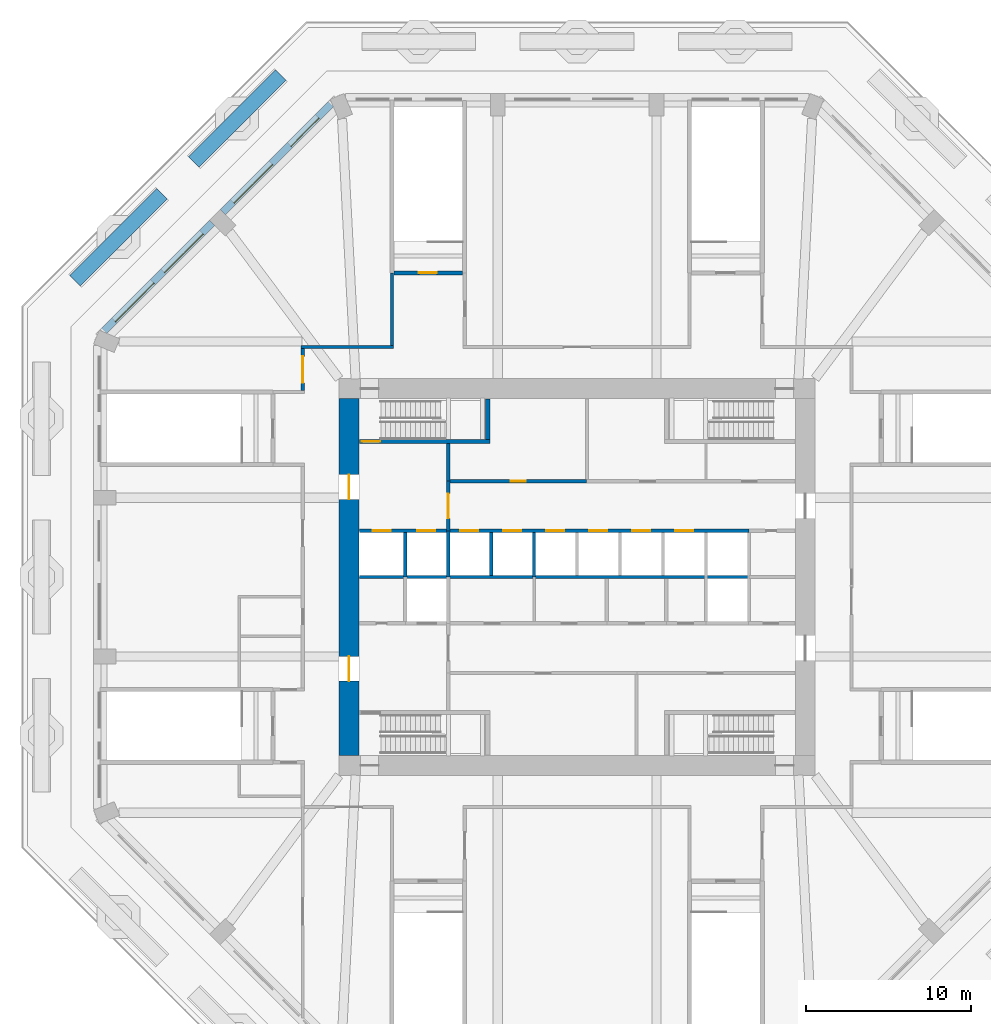
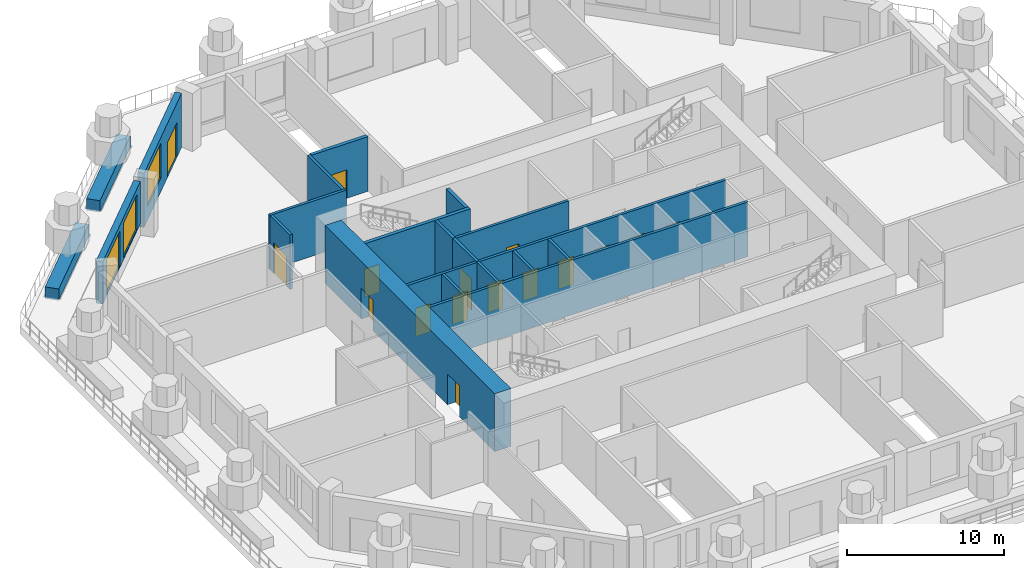
# One storey, part 6 of 13: 20 walls, 16 doors, 3 windows, 19 openings.
"""IFC4 building model written with IfcOpenShell, lengths in metres."""

from ifc_helpers import new_model, si_unit, direction, frame, frame_2d, origin, place, context, subcontext, project, spatial, rectangle, extrude, material, layer, layer_set, type_object, element, fill, save


model = new_model("IFC4")

# Units and contexts
model_context = context("Model", 3, precision=1e-05, world=origin(), true_north=direction((0.0, 1.0)))
body_context = subcontext(model_context, "Body", "Model", "MODEL_VIEW")
ifc_project = project(units=[si_unit("LENGTHUNIT", "METRE"), si_unit("AREAUNIT", "SQUARE_METRE"), si_unit("VOLUMEUNIT", "CUBIC_METRE"), si_unit("PLANEANGLEUNIT", "RADIAN"), si_unit("MASSUNIT", "GRAM", prefix="KILO")], contexts=[model_context])

# Site, building, storey
site_placement = place(None, origin())
site = spatial("IfcSite", under=ifc_project, at=site_placement, CompositionType="ELEMENT")
building_placement = place(site_placement, origin())
building = spatial("IfcBuilding", under=site, at=building_placement, Name="Msitu Wima Residences", CompositionType="ELEMENT")
storey_placement = place(building_placement, frame((0.0, 0.0, 21.0)))
storey = spatial("IfcBuildingStorey", under=building, at=storey_placement, Name="L04", CompositionType="ELEMENT", Elevation=21.0)

# Wall, openings, door, window
ifc_material_1 = material(Name="Brick (red buff mix), cavity wall of two leaves", Category="masonry")
ifc_layer_1 = layer(ifc_material_1, 0.449951171875)
ifc_layer_set_1 = layer_set([ifc_layer_1], Name="Brick (red buff mix), cavity wall of two leaves")
wall_type_1 = type_object("IfcWallType", Name="Brick infill wall BW450 podium", PredefinedType="ELEMENTEDWALL", material=ifc_layer_set_1)
wall_1_placement = place(storey_placement, frame((-14.903564453125, 28.61474609375, 0.0), z_axis=(0.0, 0.0, 1.0), x_axis=(-0.707106781187, -0.707106781187, 0.0)))
wall_1 = element("IfcWall", 1, at=wall_1_placement, inside=storey, type_object=wall_type_1, Name="Brick infill wall L04 NW0", PredefinedType="ELEMENTEDWALL", context=body_context, shape_type="SweptSolid", body=[
    extrude(rectangle(XDim=9.2451171875, YDim=0.449951171875, at=frame_2d((4.62255859375, 0.0))), origin(), (0.0, 0.0, 1.0), 4.199951171875),
])
opening_1_placement = place(wall_1_placement, frame((1.111328125, 0.0, 0.0)))
opening_1 = element("IfcOpeningElement", 2, at=opening_1_placement, cuts=wall_1, Name="Opening D04.004", PredefinedType="OPENING", context=body_context, shape_type="SweptSolid", body=[
    extrude(rectangle(XDim=2.39990234375, YDim=2.699951171875, at=frame_2d((1.199951171875, 1.35009765625))), frame((0.0, 0.23486328125, 0.0), z_axis=(0.0, -1.0, 0.0), x_axis=(1.0, 0.0, 0.0)), (0.0, 0.0, 1.0), 0.469970703125),
])
opening_2_placement = place(wall_1_placement, frame((5.072509765625, 0.0, 1.050048828125)))
opening_2 = element("IfcOpeningElement", 3, at=opening_2_placement, cuts=wall_1, Name="Opening W04.018", PredefinedType="OPENING", context=body_context, shape_type="SweptSolid", body=[
    extrude(rectangle(XDim=3.300048828125, YDim=2.699951171875, at=frame_2d((1.64990234375, 1.35009765625))), frame((0.0, 0.23486328125, 0.0), z_axis=(0.0, -1.0, 0.0), x_axis=(1.0, 0.0, 0.0)), (0.0, 0.0, 1.0), 0.469970703125),
])
ifc_material_2 = material(Name="Anodised aluminium, bronze finish, clear low-emissivity double glazing", Category="aluminium")
door_type_1 = type_object("IfcDoorType", Name="Balcony door D2400x2700", OperationType="SLIDING_TO_LEFT", PredefinedType="DOOR", material=ifc_material_2)
door_1_placement = place(opening_1_placement, origin())
door_1 = element("IfcDoor", 4, at=door_1_placement, inside=storey, type_object=door_type_1, Name="Terrace door L04 NW0", OperationType="SINGLE_SWING_LEFT", OverallHeight=2.699951171875, OverallWidth=2.39990234375, PredefinedType="DOOR", context=body_context, shape_type="SweptSolid", body=[
    extrude(rectangle(XDim=2.39990234375, YDim=2.699951171875, at=frame_2d((1.199951171875, 1.35009765625))), frame((0.0, 0.1298828125, 0.0), z_axis=(0.0, -1.0, 0.0), x_axis=(1.0, 0.0, 0.0)), (0.0, 0.0, 1.0), 0.050048828125),
])
fill(opening_1, door_1)
window_type = type_object("IfcWindowType", Name="Window W3300x2700", PartitioningType="DOUBLE_PANEL_VERTICAL", PredefinedType="WINDOW", material=ifc_material_2)
window_1_placement = place(opening_2_placement, origin())
window_1 = element("IfcWindow", 5, at=window_1_placement, inside=storey, type_object=window_type, Name="Window L04 NW0.2", OverallHeight=2.699951171875, OverallWidth=3.300048828125, PartitioningType="SINGLE_PANEL", PredefinedType="WINDOW", context=body_context, shape_type="SweptSolid", body=[
    extrude(rectangle(XDim=3.300048828125, YDim=2.699951171875, at=frame_2d((1.64990234375, 1.35009765625))), frame((0.0, 0.135009765625, 0.0), z_axis=(0.0, -1.0, 0.0), x_axis=(1.0, 0.0, 0.0)), (0.0, 0.0, 1.0), 0.06005859375),
])
fill(opening_2, window_1)

# Wall, openings, windows
wall_2_placement = place(storey_placement, frame((-22.077392578125, 21.44091796875, 0.89990234375), z_axis=(0.0, 0.0, 1.0), x_axis=(-0.707106781187, -0.707106781187, 0.0)))
wall_2 = element("IfcWall", 6, at=wall_2_placement, inside=storey, type_object=wall_type_1, Name="Brick infill wall L04 NW1", PredefinedType="ELEMENTEDWALL", context=body_context, shape_type="SweptSolid", body=[
    extrude(rectangle(XDim=9.2451171875, YDim=0.449951171875, at=frame_2d((4.62255859375, 0.0))), origin(), (0.0, 0.0, 1.0), 3.300048828125),
])
opening_3_placement = place(wall_2_placement, frame((0.87255859375, 0.0, 0.14990234375)))
opening_3 = element("IfcOpeningElement", 7, at=opening_3_placement, cuts=wall_2, Name="Opening W04.019", PredefinedType="OPENING", context=body_context, shape_type="SweptSolid", body=[
    extrude(rectangle(XDim=3.300048828125, YDim=2.699951171875, at=frame_2d((1.64990234375, 1.35009765625))), frame((0.0, 0.23486328125, 0.0), z_axis=(0.0, -1.0, 0.0), x_axis=(1.0, 0.0, 0.0)), (0.0, 0.0, 1.0), 0.469970703125),
])
opening_4_placement = place(wall_2_placement, frame((5.072509765625, 0.0, 0.14990234375)))
opening_4 = element("IfcOpeningElement", 8, at=opening_4_placement, cuts=wall_2, Name="Opening W04.020", PredefinedType="OPENING", context=body_context, shape_type="SweptSolid", body=[
    extrude(rectangle(XDim=3.300048828125, YDim=2.699951171875, at=frame_2d((1.64990234375, 1.35009765625))), frame((0.0, 0.23486328125, 0.0), z_axis=(0.0, -1.0, 0.0), x_axis=(1.0, 0.0, 0.0)), (0.0, 0.0, 1.0), 0.469970703125),
])
window_2_placement = place(opening_3_placement, origin())
window_2 = element("IfcWindow", 9, at=window_2_placement, inside=storey, type_object=window_type, Name="Window L04 NW1.1", OverallHeight=2.699951171875, OverallWidth=3.300048828125, PartitioningType="SINGLE_PANEL", PredefinedType="WINDOW", context=body_context, shape_type="SweptSolid", body=[
    extrude(rectangle(XDim=3.300048828125, YDim=2.699951171875, at=frame_2d((1.64990234375, 1.35009765625))), frame((0.0, 0.135009765625, 0.0), z_axis=(0.0, -1.0, 0.0), x_axis=(1.0, 0.0, 0.0)), (0.0, 0.0, 1.0), 0.06005859375),
])
fill(opening_3, window_2)
window_3_placement = place(opening_4_placement, origin())
window_3 = element("IfcWindow", 10, at=window_3_placement, inside=storey, type_object=window_type, Name="Window L04 NW1.2", OverallHeight=2.699951171875, OverallWidth=3.300048828125, PartitioningType="SINGLE_PANEL", PredefinedType="WINDOW", context=body_context, shape_type="SweptSolid", body=[
    extrude(rectangle(XDim=3.300048828125, YDim=2.699951171875, at=frame_2d((1.64990234375, 1.35009765625))), frame((0.0, 0.135009765625, 0.0), z_axis=(0.0, -1.0, 0.0), x_axis=(1.0, 0.0, 0.0)), (0.0, 0.0, 1.0), 0.06005859375),
])
fill(opening_4, window_3)

# Wall, openings, doors
ifc_material_3 = material(Name="Concrete C80/95", Category="concrete")
ifc_layer_2 = layer(ifc_material_3, 1.199951171875)
ifc_layer_set_2 = layer_set([ifc_layer_2], Name="Concrete C80/95")
wall_type_2 = type_object("IfcWallType", Name="Core wall CW1200 C80/95", PredefinedType="SHEAR", material=ifc_layer_set_2)
wall_3_placement = place(storey_placement, frame((-13.800048828125, -10.800048828125, 0.0), z_axis=(0.0, 0.0, 1.0), x_axis=(0.0, 1.0, 0.0)))
wall_3 = element("IfcWall", 11, at=wall_3_placement, inside=storey, type_object=wall_type_2, Name="Core wall", PredefinedType="SHEAR", context=body_context, shape_type="SweptSolid", body=[
    extrude(rectangle(XDim=21.60009765625, YDim=1.199951171875, at=frame_2d((10.800048828125, 0.0))), origin(), (0.0, 0.0, 1.0), 4.5),
])
opening_5_placement = place(wall_3_placement, frame((15.5, 0.0, 0.0)))
opening_5 = element("IfcOpeningElement", 12, at=opening_5_placement, cuts=wall_3, Name="Opening D04.049", PredefinedType="OPENING", context=body_context, shape_type="SweptSolid", body=[
    extrude(rectangle(XDim=1.5, YDim=2.39990234375, at=frame_2d((0.75, 1.199951171875))), frame((0.0, 0.60986328125, 0.0), z_axis=(0.0, -1.0, 0.0), x_axis=(1.0, 0.0, 0.0)), (0.0, 0.0, 1.0), 1.219970703125),
])
opening_6_placement = place(wall_3_placement, frame((4.5, 0.0, 0.0)))
opening_6 = element("IfcOpeningElement", 13, at=opening_6_placement, cuts=wall_3, Name="Opening D04.050", PredefinedType="OPENING", context=body_context, shape_type="SweptSolid", body=[
    extrude(rectangle(XDim=1.5, YDim=2.39990234375, at=frame_2d((0.75, 1.199951171875))), frame((0.0, 0.60986328125, 0.0), z_axis=(0.0, -1.0, 0.0), x_axis=(1.0, 0.0, 0.0)), (0.0, 0.0, 1.0), 1.219970703125),
])
ifc_material_4 = material(Name="Steel framed glazed door, fire resisting", Category="steel")
door_type_2 = type_object("IfcDoorType", Name="Lobby door D07 1500x2400", OperationType="DOUBLE_DOOR_SINGLE_SWING", PredefinedType="DOOR", material=ifc_material_4)
door_2_placement = place(opening_5_placement, origin())
door_2 = element("IfcDoor", 14, at=door_2_placement, inside=storey, type_object=door_type_2, Name="Lobby door", OperationType="DOUBLE_DOOR_SINGLE_SWING", OverallHeight=2.39990234375, OverallWidth=1.5, PredefinedType="DOOR", context=body_context, shape_type="SweptSolid", body=[
    extrude(rectangle(XDim=1.5, YDim=2.39990234375, at=frame_2d((0.75, 1.199951171875))), frame((0.0, 0.02490234375, 0.0), z_axis=(0.0, -1.0, 0.0), x_axis=(1.0, 0.0, 0.0)), (0.0, 0.0, 1.0), 0.050048828125),
])
fill(opening_5, door_2)
door_3_placement = place(opening_6_placement, origin())
door_3 = element("IfcDoor", 15, at=door_3_placement, inside=storey, type_object=door_type_2, Name="Lobby door", OperationType="DOUBLE_DOOR_SINGLE_SWING", OverallHeight=2.39990234375, OverallWidth=1.5, PredefinedType="DOOR", context=body_context, shape_type="SweptSolid", body=[
    extrude(rectangle(XDim=1.5, YDim=2.39990234375, at=frame_2d((0.75, 1.199951171875))), frame((0.0, 0.02490234375, 0.0), z_axis=(0.0, -1.0, 0.0), x_axis=(1.0, 0.0, 0.0)), (0.0, 0.0, 1.0), 0.050048828125),
])
fill(opening_6, door_3)

# Wall, opening, door
ifc_material_5 = material(Name="Plaster")
ifc_layer_3 = layer(ifc_material_5, 0.011962890625, Name="Plaster")
ifc_material_6 = material(Name="Concrete blockwork", Category="masonry")
ifc_layer_4 = layer(ifc_material_6, 0.176025390625, Name="Concrete blockwork")
ifc_layer_5 = layer(ifc_material_5, 0.011962890625, Name="Plaster")
ifc_layer_set_3 = layer_set([ifc_layer_3, ifc_layer_4, ifc_layer_5], Name="Concrete blockwork")
wall_type_3 = type_object("IfcWallType", Name="Corridor wall FW200", PredefinedType="PARTITIONING", material=ifc_layer_set_3)
wall_4_placement = place(storey_placement, frame((-16.60009765625, 11.300048828125, 0.0), z_axis=(0.0, 0.0, 1.0), x_axis=(0.0, 1.0, 0.0)))
wall_4 = element("IfcWall", 16, at=wall_4_placement, inside=storey, type_object=wall_type_3, Name="Corridor wall", PredefinedType="PARTITIONING", context=body_context, shape_type="SweptSolid", body=[
    extrude(rectangle(XDim=2.513427734375, YDim=0.199951171875, at=frame_2d((1.2568359375, 0.0))), origin(), (0.0, 0.0, 1.0), 4.25),
])
opening_7_placement = place(wall_4_placement, frame((0.449951171875, 0.0, 0.0)))
opening_7 = element("IfcOpeningElement", 17, at=opening_7_placement, cuts=wall_4, Name="Opening D04.028", PredefinedType="OPENING", context=body_context, shape_type="SweptSolid", body=[
    extrude(rectangle(XDim=1.60009765625, YDim=2.39990234375, at=frame_2d((0.800048828125, 1.199951171875))), frame((0.0, 0.10986328125, 0.0), z_axis=(0.0, -1.0, 0.0), x_axis=(1.0, 0.0, 0.0)), (0.0, 0.0, 1.0), 0.219970703125),
])
ifc_material_7 = material(Name="Black aluminium glazed door", Category="aluminium")
door_type_3 = type_object("IfcDoorType", Name="Amenity door D10 1600x2400", OperationType="DOUBLE_DOOR_SINGLE_SWING", PredefinedType="DOOR", material=ifc_material_7)
door_4_placement = place(opening_7_placement, origin())
door_4 = element("IfcDoor", 18, at=door_4_placement, inside=storey, type_object=door_type_3, Name="Amenity door", OperationType="DOUBLE_DOOR_SINGLE_SWING", OverallHeight=2.39990234375, OverallWidth=1.60009765625, PredefinedType="DOOR", context=body_context, shape_type="SweptSolid", body=[
    extrude(rectangle(XDim=1.60009765625, YDim=2.39990234375, at=frame_2d((0.800048828125, 1.199951171875))), frame((0.0, 0.02490234375, 0.0), z_axis=(0.0, -1.0, 0.0), x_axis=(1.0, 0.0, 0.0)), (0.0, 0.0, 1.0), 0.050048828125),
])
fill(opening_7, door_4)

# Walls
wall_5_placement = place(storey_placement, frame((-16.699951171875, 13.91357421875, 0.0), z_axis=(0.0, 0.0, 1.0), x_axis=(1.0, 0.0, 0.0)))
element("IfcWall", 19, at=wall_5_placement, inside=storey, type_object=wall_type_3, Name="Corridor wall", PredefinedType="PARTITIONING", context=body_context, shape_type="SweptSolid", body=[
    extrude(rectangle(XDim=5.599853515625, YDim=0.199951171875, at=frame_2d((2.7998046875, 0.0))), origin(), (0.0, 0.0, 1.0), 4.25),
])
wall_6_placement = place(storey_placement, frame((-11.199951171875, 14.013427734375, 0.0), z_axis=(0.0, 0.0, 1.0), x_axis=(0.0, 1.0, 0.0)))
element("IfcWall", 20, at=wall_6_placement, inside=storey, type_object=wall_type_3, Name="Corridor wall", PredefinedType="PARTITIONING", context=body_context, shape_type="SweptSolid", body=[
    extrude(rectangle(XDim=4.386474609375, YDim=0.199951171875, at=frame_2d((2.193359375, 0.0))), origin(), (0.0, 0.0, 1.0), 4.25),
])

# Wall, opening, door
wall_7_placement = place(storey_placement, frame((-7.800048828125, 2.800048828125, 0.0), z_axis=(0.0, 0.0, 1.0), x_axis=(0.0, 1.0, 0.0)))
wall_7 = element("IfcWall", 21, at=wall_7_placement, inside=storey, type_object=wall_type_3, Name="Corridor wall", PredefinedType="PARTITIONING", context=body_context, shape_type="SweptSolid", body=[
    extrude(rectangle(XDim=3.0, YDim=0.199951171875, at=frame_2d((1.5, 0.0))), origin(), (0.0, 0.0, 1.0), 4.25),
])
opening_8_placement = place(wall_7_placement, frame((0.75, 0.0, 0.0)))
opening_8 = element("IfcOpeningElement", 22, at=opening_8_placement, cuts=wall_7, Name="Opening D04.010", PredefinedType="OPENING", context=body_context, shape_type="SweptSolid", body=[
    extrude(rectangle(XDim=1.5, YDim=2.39990234375, at=frame_2d((0.75, 1.199951171875))), frame((0.0, 0.10986328125, 0.0), z_axis=(0.0, -1.0, 0.0), x_axis=(1.0, 0.0, 0.0)), (0.0, 0.0, 1.0), 0.219970703125),
])
door_5_placement = place(opening_8_placement, origin())
door_5 = element("IfcDoor", 23, at=door_5_placement, inside=storey, type_object=door_type_2, Name="Lobby door", OperationType="DOUBLE_DOOR_SINGLE_SWING", OverallHeight=2.39990234375, OverallWidth=1.5, PredefinedType="DOOR", context=body_context, shape_type="SweptSolid", body=[
    extrude(rectangle(XDim=1.5, YDim=2.39990234375, at=frame_2d((0.75, 1.199951171875))), frame((0.0, 0.02490234375, 0.0), z_axis=(0.0, -1.0, 0.0), x_axis=(1.0, 0.0, 0.0)), (0.0, 0.0, 1.0), 0.050048828125),
])
fill(opening_8, door_5)

# Wall
ifc_layer_6 = layer(ifc_material_5, 0.011962890625, Name="Plaster")
ifc_material_8 = material(Name="Reinforced concrete blockwork", Category="masonry")
ifc_layer_7 = layer(ifc_material_8, 0.176025390625, Name="Reinforced concrete blockwork")
ifc_layer_8 = layer(ifc_material_5, 0.011962890625, Name="Plaster")
ifc_layer_set_4 = layer_set([ifc_layer_6, ifc_layer_7, ifc_layer_8], Name="Reinforced concrete blockwork")
wall_type_4 = type_object("IfcWallType", Name="Plant and riser wall PL200", PredefinedType="PARTITIONING", material=ifc_layer_set_4)
wall_8_placement = place(storey_placement, frame((-7.800048828125, 5.800048828125, 0.0), z_axis=(0.0, 0.0, 1.0), x_axis=(0.0, 1.0, 0.0)))
element("IfcWall", 24, at=wall_8_placement, inside=storey, type_object=wall_type_4, Name="Plant and riser wall", PredefinedType="PARTITIONING", context=body_context, shape_type="SweptSolid", body=[
    extrude(rectangle(XDim=2.27490234375, YDim=0.199951171875, at=frame_2d((1.137451171875, 0.0))), origin(), (0.0, 0.0, 1.0), 4.25),
])

# Wall, opening, door
wall_9_placement = place(storey_placement, frame((-7.699951171875, 5.800048828125, 0.0), z_axis=(0.0, 0.0, 1.0), x_axis=(1.0, 0.0, 0.0)))
wall_9 = element("IfcWall", 25, at=wall_9_placement, inside=storey, type_object=wall_type_4, Name="Plant and riser wall", PredefinedType="PARTITIONING", context=body_context, shape_type="SweptSolid", body=[
    extrude(rectangle(XDim=8.280029296875, YDim=0.199951171875, at=frame_2d((4.14013671875, 0.0))), origin(), (0.0, 0.0, 1.0), 4.25),
])
opening_9_placement = place(wall_9_placement, frame((3.699951171875, 0.0, 0.0)))
opening_9 = element("IfcOpeningElement", 26, at=opening_9_placement, cuts=wall_9, Name="Opening D04.012", PredefinedType="OPENING", context=body_context, shape_type="SweptSolid", body=[
    extrude(rectangle(XDim=0.89990234375, YDim=2.199951171875, at=frame_2d((0.449951171875, 1.10009765625))), frame((0.0, 0.10986328125, 0.0), z_axis=(0.0, -1.0, 0.0), x_axis=(1.0, 0.0, 0.0)), (0.0, 0.0, 1.0), 0.219970703125),
])
ifc_material_9 = material(Name="Timber flush door", Category="wood")
door_type_4 = type_object("IfcDoorType", Name="Service door D05 900x2200", OperationType="SINGLE_SWING_LEFT", PredefinedType="DOOR", material=ifc_material_9)
door_6_placement = place(opening_9_placement, origin())
door_6 = element("IfcDoor", 27, at=door_6_placement, inside=storey, type_object=door_type_4, Name="Service door", OperationType="SINGLE_SWING_RIGHT", OverallHeight=2.199951171875, OverallWidth=0.89990234375, PredefinedType="DOOR", context=body_context, shape_type="SweptSolid", body=[
    extrude(rectangle(XDim=0.89990234375, YDim=2.199951171875, at=frame_2d((0.449951171875, 1.10009765625))), frame((0.0, 0.02490234375, 0.0), z_axis=(0.0, -1.0, 0.0), x_axis=(1.0, 0.0, 0.0)), (0.0, 0.0, 1.0), 0.050048828125),
])
fill(opening_9, door_6)

# Wall
ifc_material_10 = material(Name="Fire-rated board")
ifc_layer_9 = layer(ifc_material_10, 0.02490234375, Name="Fire-rated board")
ifc_material_11 = material(Name="Light-gauge stud framing with mineral wool")
ifc_layer_10 = layer(ifc_material_11, 0.14990234375, Name="Light-gauge stud framing with mineral wool")
ifc_layer_11 = layer(ifc_material_10, 0.02490234375, Name="Fire-rated board")
ifc_layer_set_5 = layer_set([ifc_layer_9, ifc_layer_10, ifc_layer_11], Name="Light-gauge stud framing with mineral wool")
wall_type_5 = type_object("IfcWallType", Name="Shaft wall SH200", PredefinedType="PARTITIONING", material=ifc_layer_set_5)
wall_10_placement = place(storey_placement, frame((-13.169921875, 0.0, 0.0), z_axis=(0.0, 0.0, 1.0), x_axis=(1.0, 0.0, 0.0)))
element("IfcWall", 28, at=wall_10_placement, inside=storey, type_object=wall_type_5, Name="Shaft wall", PredefinedType="PARTITIONING", context=body_context, shape_type="SweptSolid", body=[
    extrude(rectangle(XDim=23.56982421875, YDim=0.199951171875, at=frame_2d((11.784912109375, 0.0))), origin(), (0.0, 0.0, 1.0), 4.25),
])

# Wall, openings, doors
wall_11_placement = place(storey_placement, frame((-13.169921875, 2.800048828125, 0.0), z_axis=(0.0, 0.0, 1.0), x_axis=(1.0, 0.0, 0.0)))
wall_11 = element("IfcWall", 29, at=wall_11_placement, inside=storey, type_object=wall_type_5, Name="Shaft wall", PredefinedType="PARTITIONING", context=body_context, shape_type="SweptSolid", body=[
    extrude(rectangle(XDim=23.56982421875, YDim=0.199951171875, at=frame_2d((11.784912109375, 0.0))), origin(), (0.0, 0.0, 1.0), 4.25),
])
opening_10_placement = place(wall_11_placement, frame((0.800048828125, 0.0, 0.0)))
opening_10 = element("IfcOpeningElement", 30, at=opening_10_placement, cuts=wall_11, Name="Opening LD", PredefinedType="OPENING", context=body_context, shape_type="SweptSolid", body=[
    extrude(rectangle(XDim=1.10009765625, YDim=2.199951171875, at=frame_2d((0.550048828125, 1.10009765625))), frame((0.0, 0.10986328125, 0.0), z_axis=(0.0, -1.0, 0.0), x_axis=(1.0, 0.0, 0.0)), (0.0, 0.0, 1.0), 0.219970703125),
])
opening_11_placement = place(wall_11_placement, frame((3.5, 0.0, 0.0)))
opening_11 = element("IfcOpeningElement", 31, at=opening_11_placement, cuts=wall_11, Name="Opening LD", PredefinedType="OPENING", context=body_context, shape_type="SweptSolid", body=[
    extrude(rectangle(XDim=1.10009765625, YDim=2.199951171875, at=frame_2d((0.550048828125, 1.10009765625))), frame((0.0, 0.10986328125, 0.0), z_axis=(0.0, -1.0, 0.0), x_axis=(1.0, 0.0, 0.0)), (0.0, 0.0, 1.0), 0.219970703125),
])
opening_12_placement = place(wall_11_placement, frame((6.10009765625, 0.0, 0.0)))
opening_12 = element("IfcOpeningElement", 32, at=opening_12_placement, cuts=wall_11, Name="Opening LD", PredefinedType="OPENING", context=body_context, shape_type="SweptSolid", body=[
    extrude(rectangle(XDim=1.10009765625, YDim=2.199951171875, at=frame_2d((0.550048828125, 1.10009765625))), frame((0.0, 0.10986328125, 0.0), z_axis=(0.0, -1.0, 0.0), x_axis=(1.0, 0.0, 0.0)), (0.0, 0.0, 1.0), 0.219970703125),
])
opening_13_placement = place(wall_11_placement, frame((8.699951171875, 0.0, 0.0)))
opening_13 = element("IfcOpeningElement", 33, at=opening_13_placement, cuts=wall_11, Name="Opening LD", PredefinedType="OPENING", context=body_context, shape_type="SweptSolid", body=[
    extrude(rectangle(XDim=1.10009765625, YDim=2.199951171875, at=frame_2d((0.550048828125, 1.10009765625))), frame((0.0, 0.10986328125, 0.0), z_axis=(0.0, -1.0, 0.0), x_axis=(1.0, 0.0, 0.0)), (0.0, 0.0, 1.0), 0.219970703125),
])
opening_14_placement = place(wall_11_placement, frame((11.300048828125, 0.0, 0.0)))
opening_14 = element("IfcOpeningElement", 34, at=opening_14_placement, cuts=wall_11, Name="Opening LD", PredefinedType="OPENING", context=body_context, shape_type="SweptSolid", body=[
    extrude(rectangle(XDim=1.10009765625, YDim=2.199951171875, at=frame_2d((0.550048828125, 1.10009765625))), frame((0.0, 0.10986328125, 0.0), z_axis=(0.0, -1.0, 0.0), x_axis=(1.0, 0.0, 0.0)), (0.0, 0.0, 1.0), 0.219970703125),
])
opening_15_placement = place(wall_11_placement, frame((13.89990234375, 0.0, 0.0)))
opening_15 = element("IfcOpeningElement", 35, at=opening_15_placement, cuts=wall_11, Name="Opening LD", PredefinedType="OPENING", context=body_context, shape_type="SweptSolid", body=[
    extrude(rectangle(XDim=1.10009765625, YDim=2.199951171875, at=frame_2d((0.550048828125, 1.10009765625))), frame((0.0, 0.10986328125, 0.0), z_axis=(0.0, -1.0, 0.0), x_axis=(1.0, 0.0, 0.0)), (0.0, 0.0, 1.0), 0.219970703125),
])
opening_16_placement = place(wall_11_placement, frame((16.5, 0.0, 0.0)))
opening_16 = element("IfcOpeningElement", 36, at=opening_16_placement, cuts=wall_11, Name="Opening LD", PredefinedType="OPENING", context=body_context, shape_type="SweptSolid", body=[
    extrude(rectangle(XDim=1.10009765625, YDim=2.199951171875, at=frame_2d((0.550048828125, 1.10009765625))), frame((0.0, 0.10986328125, 0.0), z_axis=(0.0, -1.0, 0.0), x_axis=(1.0, 0.0, 0.0)), (0.0, 0.0, 1.0), 0.219970703125),
])
opening_17_placement = place(wall_11_placement, frame((19.10009765625, 0.0, 0.0)))
opening_17 = element("IfcOpeningElement", 37, at=opening_17_placement, cuts=wall_11, Name="Opening LD", PredefinedType="OPENING", context=body_context, shape_type="SweptSolid", body=[
    extrude(rectangle(XDim=1.10009765625, YDim=2.199951171875, at=frame_2d((0.550048828125, 1.10009765625))), frame((0.0, 0.10986328125, 0.0), z_axis=(0.0, -1.0, 0.0), x_axis=(1.0, 0.0, 0.0)), (0.0, 0.0, 1.0), 0.219970703125),
])
ifc_material_12 = material(Name="Stainless steel centre-opening landing door, rated", Category="steel")
door_type_5 = type_object("IfcDoorType", Name="Lift landing door LD 1100x2200", OperationType="DOUBLE_DOOR_SLIDING", PredefinedType="DOOR", material=ifc_material_12)
door_7_placement = place(opening_10_placement, origin())
door_7 = element("IfcDoor", 38, at=door_7_placement, inside=storey, type_object=door_type_5, Name="Lift landing door LD1", OperationType="DOUBLE_DOOR_SLIDING", OverallHeight=2.199951171875, OverallWidth=1.10009765625, PredefinedType="DOOR", context=body_context, shape_type="SweptSolid", body=[
    extrude(rectangle(XDim=1.10009765625, YDim=2.199951171875, at=frame_2d((0.550048828125, 1.10009765625))), frame((0.0, 0.02490234375, 0.0), z_axis=(0.0, -1.0, 0.0), x_axis=(1.0, 0.0, 0.0)), (0.0, 0.0, 1.0), 0.050048828125),
])
fill(opening_10, door_7)
door_8_placement = place(opening_11_placement, origin())
door_8 = element("IfcDoor", 39, at=door_8_placement, inside=storey, type_object=door_type_5, Name="Lift landing door LD2", OperationType="DOUBLE_DOOR_SLIDING", OverallHeight=2.199951171875, OverallWidth=1.10009765625, PredefinedType="DOOR", context=body_context, shape_type="SweptSolid", body=[
    extrude(rectangle(XDim=1.10009765625, YDim=2.199951171875, at=frame_2d((0.550048828125, 1.10009765625))), frame((0.0, 0.02490234375, 0.0), z_axis=(0.0, -1.0, 0.0), x_axis=(1.0, 0.0, 0.0)), (0.0, 0.0, 1.0), 0.050048828125),
])
fill(opening_11, door_8)
door_9_placement = place(opening_12_placement, origin())
door_9 = element("IfcDoor", 40, at=door_9_placement, inside=storey, type_object=door_type_5, Name="Lift landing door LD4", OperationType="DOUBLE_DOOR_SLIDING", OverallHeight=2.199951171875, OverallWidth=1.10009765625, PredefinedType="DOOR", context=body_context, shape_type="SweptSolid", body=[
    extrude(rectangle(XDim=1.10009765625, YDim=2.199951171875, at=frame_2d((0.550048828125, 1.10009765625))), frame((0.0, 0.02490234375, 0.0), z_axis=(0.0, -1.0, 0.0), x_axis=(1.0, 0.0, 0.0)), (0.0, 0.0, 1.0), 0.050048828125),
])
fill(opening_12, door_9)
door_10_placement = place(opening_13_placement, origin())
door_10 = element("IfcDoor", 41, at=door_10_placement, inside=storey, type_object=door_type_5, Name="Lift landing door LD6", OperationType="DOUBLE_DOOR_SLIDING", OverallHeight=2.199951171875, OverallWidth=1.10009765625, PredefinedType="DOOR", context=body_context, shape_type="SweptSolid", body=[
    extrude(rectangle(XDim=1.10009765625, YDim=2.199951171875, at=frame_2d((0.550048828125, 1.10009765625))), frame((0.0, 0.02490234375, 0.0), z_axis=(0.0, -1.0, 0.0), x_axis=(1.0, 0.0, 0.0)), (0.0, 0.0, 1.0), 0.050048828125),
])
fill(opening_13, door_10)
door_11_placement = place(opening_14_placement, origin())
door_11 = element("IfcDoor", 42, at=door_11_placement, inside=storey, type_object=door_type_5, Name="Lift landing door LD8", OperationType="DOUBLE_DOOR_SLIDING", OverallHeight=2.199951171875, OverallWidth=1.10009765625, PredefinedType="DOOR", context=body_context, shape_type="SweptSolid", body=[
    extrude(rectangle(XDim=1.10009765625, YDim=2.199951171875, at=frame_2d((0.550048828125, 1.10009765625))), frame((0.0, 0.02490234375, 0.0), z_axis=(0.0, -1.0, 0.0), x_axis=(1.0, 0.0, 0.0)), (0.0, 0.0, 1.0), 0.050048828125),
])
fill(opening_14, door_11)
door_12_placement = place(opening_15_placement, origin())
door_12 = element("IfcDoor", 43, at=door_12_placement, inside=storey, type_object=door_type_5, Name="Lift landing door LD10", OperationType="DOUBLE_DOOR_SLIDING", OverallHeight=2.199951171875, OverallWidth=1.10009765625, PredefinedType="DOOR", context=body_context, shape_type="SweptSolid", body=[
    extrude(rectangle(XDim=1.10009765625, YDim=2.199951171875, at=frame_2d((0.550048828125, 1.10009765625))), frame((0.0, 0.02490234375, 0.0), z_axis=(0.0, -1.0, 0.0), x_axis=(1.0, 0.0, 0.0)), (0.0, 0.0, 1.0), 0.050048828125),
])
fill(opening_15, door_12)
door_13_placement = place(opening_16_placement, origin())
door_13 = element("IfcDoor", 44, at=door_13_placement, inside=storey, type_object=door_type_5, Name="Lift landing door LD12", OperationType="DOUBLE_DOOR_SLIDING", OverallHeight=2.199951171875, OverallWidth=1.10009765625, PredefinedType="DOOR", context=body_context, shape_type="SweptSolid", body=[
    extrude(rectangle(XDim=1.10009765625, YDim=2.199951171875, at=frame_2d((0.550048828125, 1.10009765625))), frame((0.0, 0.02490234375, 0.0), z_axis=(0.0, -1.0, 0.0), x_axis=(1.0, 0.0, 0.0)), (0.0, 0.0, 1.0), 0.050048828125),
])
fill(opening_16, door_13)
door_14_placement = place(opening_17_placement, origin())
door_14 = element("IfcDoor", 45, at=door_14_placement, inside=storey, type_object=door_type_5, Name="Lift landing door LD14", OperationType="DOUBLE_DOOR_SLIDING", OverallHeight=2.199951171875, OverallWidth=1.10009765625, PredefinedType="DOOR", context=body_context, shape_type="SweptSolid", body=[
    extrude(rectangle(XDim=1.10009765625, YDim=2.199951171875, at=frame_2d((0.550048828125, 1.10009765625))), frame((0.0, 0.02490234375, 0.0), z_axis=(0.0, -1.0, 0.0), x_axis=(1.0, 0.0, 0.0)), (0.0, 0.0, 1.0), 0.050048828125),
])
fill(opening_17, door_14)

# Walls
wall_12_placement = place(storey_placement, frame((-10.39990234375, 0.0, 0.0), z_axis=(0.0, 0.0, 1.0), x_axis=(0.0, 1.0, 0.0)))
element("IfcWall", 46, at=wall_12_placement, inside=storey, type_object=wall_type_5, Name="Shaft wall", PredefinedType="PARTITIONING", context=body_context, shape_type="SweptSolid", body=[
    extrude(rectangle(XDim=2.699951171875, YDim=0.199951171875, at=frame_2d((1.35009765625, 0.0))), origin(), (0.0, 0.0, 1.0), 4.25),
])
wall_13_placement = place(storey_placement, frame((-7.800048828125, 0.0, 0.0), z_axis=(0.0, 0.0, 1.0), x_axis=(0.0, 1.0, 0.0)))
element("IfcWall", 47, at=wall_13_placement, inside=storey, type_object=wall_type_5, Name="Shaft wall", PredefinedType="PARTITIONING", context=body_context, shape_type="SweptSolid", body=[
    extrude(rectangle(XDim=2.800048828125, YDim=0.199951171875, at=frame_2d((1.39990234375, 0.0))), origin(), (0.0, 0.0, 1.0), 4.25),
])
wall_14_placement = place(storey_placement, frame((-5.199951171875, 0.10009765625, 0.0), z_axis=(0.0, 0.0, 1.0), x_axis=(0.0, 1.0, 0.0)))
element("IfcWall", 48, at=wall_14_placement, inside=storey, type_object=wall_type_5, Name="Shaft wall", PredefinedType="PARTITIONING", context=body_context, shape_type="SweptSolid", body=[
    extrude(rectangle(XDim=2.599853515625, YDim=0.199951171875, at=frame_2d((1.2998046875, 0.0))), origin(), (0.0, 0.0, 1.0), 4.25),
])
wall_15_placement = place(storey_placement, frame((-2.60009765625, 0.0, 0.0), z_axis=(0.0, 0.0, 1.0), x_axis=(0.0, 1.0, 0.0)))
element("IfcWall", 49, at=wall_15_placement, inside=storey, type_object=wall_type_5, Name="Shaft wall", PredefinedType="PARTITIONING", context=body_context, shape_type="SweptSolid", body=[
    extrude(rectangle(XDim=2.699951171875, YDim=0.199951171875, at=frame_2d((1.35009765625, 0.0))), origin(), (0.0, 0.0, 1.0), 4.25),
])

# Wall, opening, door
ifc_material_13 = material(Name="Concrete C50/60", Category="concrete")
ifc_layer_12 = layer(ifc_material_13, 0.25)
ifc_layer_set_6 = layer_set([ifc_layer_12], Name="Concrete C50/60")
wall_type_6 = type_object("IfcWallType", Name="Stair enclosure wall SW250", PredefinedType="SHEAR", material=ifc_layer_set_6)
wall_16_placement = place(storey_placement, frame((-13.169921875, 8.199951171875, 0.0), z_axis=(0.0, 0.0, 1.0), x_axis=(1.0, 0.0, 0.0)))
wall_16 = element("IfcWall", 50, at=wall_16_placement, inside=storey, type_object=wall_type_6, Name="Stair enclosure wall", PredefinedType="SHEAR", context=body_context, shape_type="SweptSolid", body=[
    extrude(rectangle(XDim=7.89501953125, YDim=0.25, at=frame_2d((3.947509765625, 0.0))), origin(), (0.0, 0.0, 1.0), 4.25),
])
opening_18_placement = place(wall_16_placement, frame((0.14990234375, 0.0, 0.0)))
opening_18 = element("IfcOpeningElement", 51, at=opening_18_placement, cuts=wall_16, Name="Opening D04.023", PredefinedType="OPENING", context=body_context, shape_type="SweptSolid", body=[
    extrude(rectangle(XDim=1.10009765625, YDim=2.199951171875, at=frame_2d((0.550048828125, 1.10009765625))), frame((0.0, 0.135009765625, 0.0), z_axis=(0.0, -1.0, 0.0), x_axis=(1.0, 0.0, 0.0)), (0.0, 0.0, 1.0), 0.27001953125),
])
ifc_material_14 = material(Name="Steel door, fire resisting, panic bar", Category="steel")
door_type_6 = type_object("IfcDoorType", Name="Stair door D06 1100x2200", OperationType="SINGLE_SWING_LEFT", PredefinedType="DOOR", material=ifc_material_14)
door_15_placement = place(opening_18_placement, origin())
door_15 = element("IfcDoor", 52, at=door_15_placement, inside=storey, type_object=door_type_6, Name="Stair door", OperationType="SINGLE_SWING_LEFT", OverallHeight=2.199951171875, OverallWidth=1.10009765625, PredefinedType="DOOR", context=body_context, shape_type="SweptSolid", body=[
    extrude(rectangle(XDim=1.10009765625, YDim=2.199951171875, at=frame_2d((0.550048828125, 1.10009765625))), frame((0.0, 0.02490234375, 0.0), z_axis=(0.0, -1.0, 0.0), x_axis=(1.0, 0.0, 0.0)), (0.0, 0.0, 1.0), 0.050048828125),
])
fill(opening_18, door_15)

wall_17_placement = place(storey_placement, frame((-11.074951171875, 18.39990234375, 0.0), z_axis=(0.0, 0.0, 1.0), x_axis=(1.0, 0.0, 0.0)))
wall_17 = element("IfcWall", 53, at=wall_17_placement, inside=storey, type_object=wall_type_6, Name="Stair enclosure wall", PredefinedType="SHEAR", context=body_context, shape_type="SweptSolid", body=[
    extrude(rectangle(XDim=4.14990234375, YDim=0.25, at=frame_2d((2.074951171875, 0.0))), origin(), (0.0, 0.0, 1.0), 4.25),
])
opening_19_placement = place(wall_17_placement, frame((1.5, 0.0, 0.0)))
opening_19 = element("IfcOpeningElement", 54, at=opening_19_placement, cuts=wall_17, Name="Opening D04.041", PredefinedType="OPENING", context=body_context, shape_type="SweptSolid", body=[
    extrude(rectangle(XDim=1.10009765625, YDim=2.199951171875, at=frame_2d((0.550048828125, 1.10009765625))), frame((0.0, 0.135009765625, 0.0), z_axis=(0.0, -1.0, 0.0), x_axis=(1.0, 0.0, 0.0)), (0.0, 0.0, 1.0), 0.27001953125),
])
door_type_7 = type_object("IfcDoorType", Name="Stair door D13 1100x2200", OperationType="SINGLE_SWING_LEFT", PredefinedType="DOOR", material=ifc_material_14)
door_16_placement = place(opening_19_placement, origin())
door_16 = element("IfcDoor", 55, at=door_16_placement, inside=storey, type_object=door_type_7, Name="Stair door", OperationType="SINGLE_SWING_LEFT", OverallHeight=2.199951171875, OverallWidth=1.10009765625, PredefinedType="DOOR", context=body_context, shape_type="SweptSolid", body=[
    extrude(rectangle(XDim=1.10009765625, YDim=2.199951171875, at=frame_2d((0.550048828125, 1.10009765625))), frame((0.0, 0.02490234375, 0.0), z_axis=(0.0, -1.0, 0.0), x_axis=(1.0, 0.0, 0.0)), (0.0, 0.0, 1.0), 0.050048828125),
])
fill(opening_19, door_16)

# Walls
wall_18_placement = place(storey_placement, frame((-5.39990234375, 8.324951171875, 0.0), z_axis=(0.0, 0.0, 1.0), x_axis=(0.0, 1.0, 0.0)))
element("IfcWall", 56, at=wall_18_placement, inside=storey, type_object=wall_type_6, Name="Stair enclosure wall", PredefinedType="SHEAR", context=body_context, shape_type="SweptSolid", body=[
    extrude(rectangle(XDim=2.445068359375, YDim=0.25, at=frame_2d((1.22265625, 0.0))), origin(), (0.0, 0.0, 1.0), 4.25),
])
ifc_material_15 = material(Name="Facing brick")
ifc_layer_13 = layer(ifc_material_15, 0.06494140625, Name="Facing brick")
ifc_material_16 = material(Name="Concrete C40/50", Category="concrete")
ifc_layer_14 = layer(ifc_material_16, 0.381103515625, Name="Concrete C40/50")
ifc_material_17 = material(Name="Waterproofing membrane")
ifc_layer_15 = layer(ifc_material_17, 0.00390625, Name="Waterproofing membrane")
ifc_material_18 = material(Name="Planting soil and planting")
ifc_layer_16 = layer(ifc_material_18, 0.449951171875, Name="Planting soil and planting")
ifc_layer_set_7 = layer_set([ifc_layer_13, ifc_layer_14, ifc_layer_15, ifc_layer_16], Name="Concrete C40/50")
wall_type_7 = type_object("IfcWallType", Name="Terrace planter PLANTER PL900", PredefinedType="USERDEFINED", material=ifc_layer_set_7)
for number, where, z_axis, x_axis, name in (
    (57, (-17.926513671875, 30.36474609375, 0.0), (0.0, 0.0, 1.0), (-0.707090385078, -0.707123176915, 0.0), "Terrace planter L04 NW0"),
    (58, (-25.10009765625, 23.19091796875, 0.0), (0.0, 0.0, 1.0), (-0.707123176915, -0.707090385078, 0.0), "Terrace planter L04 NW1"),
):
    element("IfcWall", number, at=place(storey_placement, frame(where, z_axis=z_axis, x_axis=x_axis)), inside=storey, type_object=wall_type_7, Name=name, ObjectType="PLANTER", PredefinedType="USERDEFINED", context=body_context, shape_type="SweptSolid", body=[
        extrude(rectangle(XDim=7.445068359375, YDim=0.89990234375, at=frame_2d((3.72265625, 0.0))), origin(), (0.0, 0.0, 1.0), 0.89990234375),
    ])

save(model, "model.ifc")
